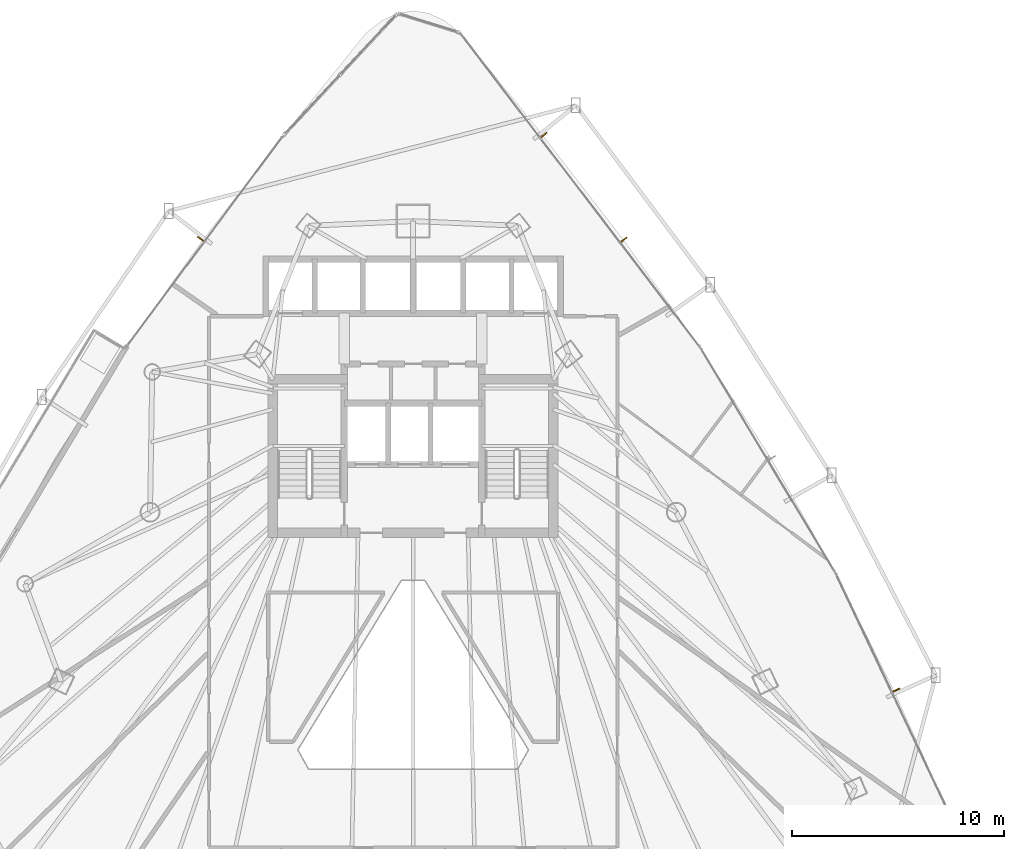
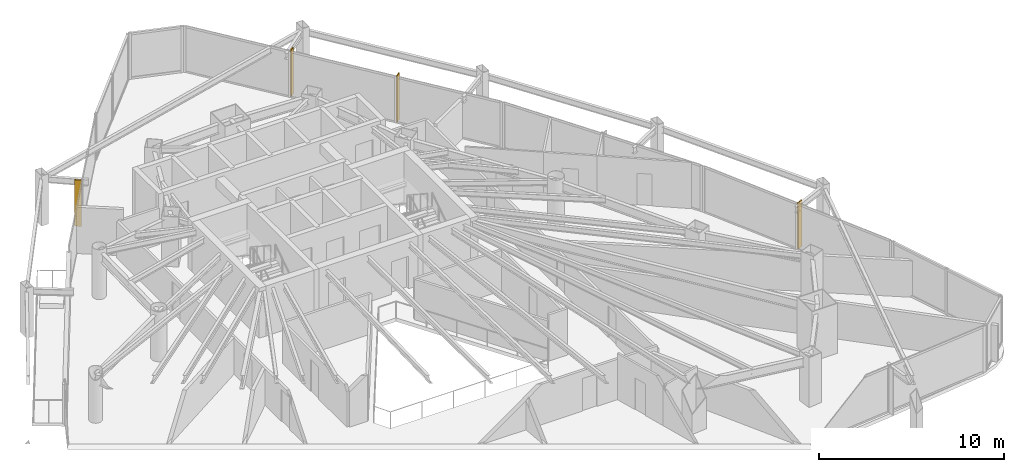
# One storey, part 34 of 34: 4 shading devices.
"""IFC4 building model written with IfcOpenShell, lengths in metres."""

from ifc_helpers import new_model, si_unit, direction, frame, origin, origin_2d, place, context, subcontext, project, spatial, rectangle, extrude, material, layer, layer_set, type_object, element, save


model = new_model("IFC4")

# Units and contexts
model_context = context("Model", 3, precision=1e-05, world=origin(), true_north=direction((0.0, 1.0)))
body_context = subcontext(model_context, "Body", "Model", "MODEL_VIEW")
ifc_project = project(units=[si_unit("LENGTHUNIT", "METRE"), si_unit("AREAUNIT", "SQUARE_METRE"), si_unit("VOLUMEUNIT", "CUBIC_METRE"), si_unit("PLANEANGLEUNIT", "RADIAN"), si_unit("MASSUNIT", "GRAM", prefix="KILO")], contexts=[model_context])

# Site, building, storey
site_placement = place(None, origin())
site = spatial("IfcSite", under=ifc_project, at=site_placement, CompositionType="ELEMENT")
building_placement = place(site_placement, origin())
building = spatial("IfcBuilding", under=site, at=building_placement, Name="Orvanel Arch Residences", CompositionType="ELEMENT")
storey_placement = place(building_placement, frame((0.0, 0.0, 64.25)))
storey = spatial("IfcBuildingStorey", under=building, at=storey_placement, Name="L17", CompositionType="ELEMENT", Elevation=64.25)

# Shading devices
ifc_material = material(Name="Bronze-anodised aluminium AA6063-T6", Category="aluminium")
ifc_layer = layer(ifc_material, 0.06005859375)
ifc_layer_set = layer_set([ifc_layer], Name="Bronze-anodised aluminium AA6063-T6")
shading_device_type = type_object("IfcShadingDeviceType", Name="FIN-BRZ-380", PredefinedType="USERDEFINED", material=ifc_layer_set)
for number, where, z_axis, x_axis, name in (
    (1, (22.964111328125, 40.551025390625, 0.0), (0.0, 0.0, 1.0), (-0.802817475191, 0.596224874966, 0.0), "L17 Anodised Bronze Mullion FIN 01"),
    (2, (55.822021484375, 19.236083984375, 0.0), (0.0, 0.0, 1.0), (0.904082549661, 0.427357863387, 0.0), "L17 Anodised Bronze Mullion FIN 01"),
    (3, (42.9580078125, 40.51611328125, 0.0), (0.0, 0.0, 1.0), (0.794414620535, 0.607375839723, 0.0), "L17 Anodised Bronze Mullion FIN 01"),
    (4, (39.178955078125, 45.467041015625, 0.0), (0.0, 0.0, 1.0), (0.794414620535, 0.607375839723, 0.0), "L17 Anodised Bronze Mullion FIN 02"),
):
    element("IfcShadingDevice", number, at=place(storey_placement, frame(where, z_axis=z_axis, x_axis=x_axis)), inside=storey, type_object=shading_device_type, Name=name, ObjectType="FIN", PredefinedType="USERDEFINED", context=body_context, shape_type="SweptSolid", body=[
        extrude(rectangle(XDim=0.3798828125, YDim=0.06005859375, at=origin_2d()), origin(), (0.0, 0.0, 1.0), 3.06005859375),
    ])

save(model, "model.ifc")
